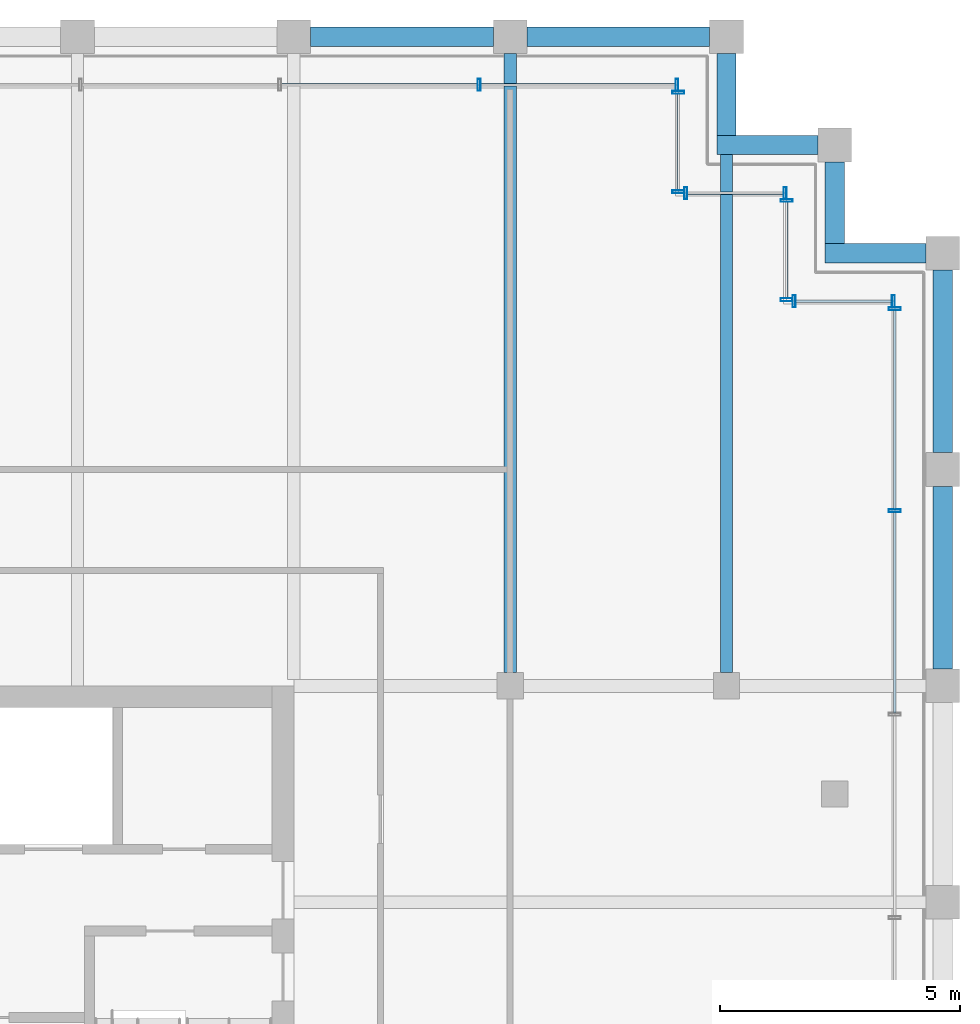
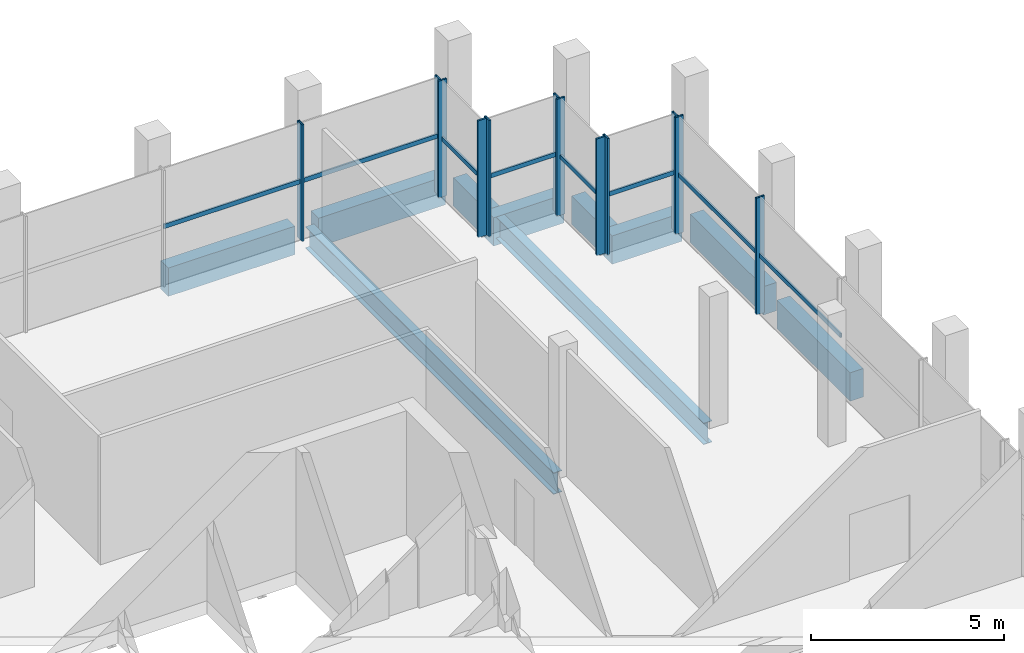
# One storey, part 12 of 17: 20 members, 10 beams, 6 elements without a shape of their own.
"""IFC4 building model written with IfcOpenShell, lengths in metres."""

from ifc_helpers import new_model, si_unit, direction, frame, origin, origin_2d, place, context, subcontext, project, spatial, rectangle, hollow_rectangle, i_section, extrude, material, material_profile, profile_set, type_object, element, aggregate, save


model = new_model("IFC4")

# Units and contexts
model_context = context("Model", 3, precision=1e-05, world=origin(), true_north=direction((0.0, 1.0)))
body_context = subcontext(model_context, "Body", "Model", "MODEL_VIEW")
ifc_project = project(units=[si_unit("LENGTHUNIT", "METRE"), si_unit("AREAUNIT", "SQUARE_METRE"), si_unit("VOLUMEUNIT", "CUBIC_METRE"), si_unit("PLANEANGLEUNIT", "RADIAN"), si_unit("MASSUNIT", "GRAM", prefix="KILO")], contexts=[model_context])

# Site, building, storey
site_placement = place(None, origin())
site = spatial("IfcSite", under=ifc_project, at=site_placement, CompositionType="ELEMENT")
building_placement = place(site_placement, origin())
building = spatial("IfcBuilding", under=site, at=building_placement, Name="Altepetl Exchange Towers", CompositionType="ELEMENT")
storey_placement = place(building_placement, frame((0.0, 0.0, 259.39990234375)))
storey = spatial("IfcBuildingStorey", under=building, at=storey_placement, Name="L66", CompositionType="ELEMENT", Elevation=259.39990234375)

# Beams
ifc_material_1 = material(Name="Steel S355", Category="steel")
ifc_material_profile_1 = material_profile(ifc_material_1, i_section(OverallWidth=0.25390625, OverallDepth=0.68408203125, WebThickness=0.012451171875, FlangeThickness=0.018798828125, at=origin_2d()), Name="W27X94")
ifc_profile_set_1 = profile_set([ifc_material_profile_1], Name="Steel S355")
beam_type_1 = type_object("IfcBeamType", Name="Floor beam W27X94", PredefinedType="BEAM", material=ifc_profile_set_1)
beam_1_placement = place(storey_placement, frame((63.0, 58.77490234375, -0.516845703125), z_axis=(0.0, 1.0, 0.0), x_axis=(-1.0, 0.0, 0.0)))
element("IfcBeam", 1, at=beam_1_placement, inside=storey, type_object=beam_type_1, Name="bm:A:L66:004", PredefinedType="BEAM", context=body_context, shape_type="SweptSolid", body=[
    extrude(i_section(OverallWidth=0.25390625, OverallDepth=0.68408203125, WebThickness=0.012451171875, FlangeThickness=0.018798828125, at=origin_2d()), origin(), (0.0, 0.0, 1.0), 12.875),
])
beam_2_placement = place(storey_placement, frame((67.5, 58.77490234375, -0.516845703125), z_axis=(0.0, 1.0, 0.0), x_axis=(-1.0, 0.0, 0.0)))
element("IfcBeam", 2, at=beam_2_placement, inside=storey, type_object=beam_type_1, Name="bm:A:L66:005", PredefinedType="BEAM", context=body_context, shape_type="SweptSolid", body=[
    extrude(i_section(OverallWidth=0.25390625, OverallDepth=0.68408203125, WebThickness=0.012451171875, FlangeThickness=0.018798828125, at=origin_2d()), origin(), (0.0, 0.0, 1.0), 10.775146484375),
])

# Curtain wall, members
ifc_material_2 = material(Name="Aluminium 6063-T6 glazing", Category="aluminium")
curtain_wall_type = type_object("IfcCurtainWallType", Name="Executive flush glazing system", PredefinedType="NOTDEFINED", material=ifc_material_2)
curtain_wall_1_placement = place(storey_placement, origin())
curtain_wall_1 = element("IfcCurtainWall", 3, at=curtain_wall_1_placement, inside=storey, type_object=curtain_wall_type, Name="CW4 run", PredefinedType="NOTDEFINED")
ifc_material_3 = material(Name="Aluminium 6063-T6", Category="aluminium")
ifc_material_profile_2 = material_profile(ifc_material_3, hollow_rectangle(XDim=0.06005859375, YDim=0.25, WallThickness=0.0029296875, at=origin_2d()), Name="Mullion 60x250 hollow aluminium")
ifc_profile_set_2 = profile_set([ifc_material_profile_2], Name="Aluminium 6063-T6")
member_type_1 = type_object("IfcMemberType", Name="Mullion 60x250 hollow aluminium", PredefinedType="MULLION", material=ifc_profile_set_2)
member_1_placement = place(storey_placement, frame((71.0, 62.140625, 0.0), z_axis=(0.0, 0.0, 1.0), x_axis=(0.0, 1.0, 0.0)))
member_1 = element("IfcMember", 4, at=member_1_placement, type_object=member_type_1, Name="MU3 mullion", PredefinedType="MULLION", context=body_context, shape_type="SweptSolid", body=[
    extrude(hollow_rectangle(XDim=0.06005859375, YDim=0.25, WallThickness=0.0029296875, at=origin_2d()), origin(), (0.0, 0.0, 1.0), 3.7001953125),
])
member_2_placement = place(storey_placement, frame((71.0, 66.344970703125, 0.0), z_axis=(0.0, 0.0, 1.0), x_axis=(0.0, 1.0, 0.0)))
member_2 = element("IfcMember", 5, at=member_2_placement, type_object=member_type_1, Name="MU3 mullion", PredefinedType="MULLION", context=body_context, shape_type="SweptSolid", body=[
    extrude(hollow_rectangle(XDim=0.06005859375, YDim=0.25, WallThickness=0.0029296875, at=origin_2d()), origin(), (0.0, 0.0, 1.0), 3.7001953125),
])

curtain_wall_2_placement = place(storey_placement, origin())
curtain_wall_2 = element("IfcCurtainWall", 6, at=curtain_wall_2_placement, inside=storey, type_object=curtain_wall_type, Name="CW4 run", PredefinedType="NOTDEFINED")
member_3_placement = place(storey_placement, frame((70.969970703125, 66.5, 0.0), z_axis=(0.0, 0.0, 1.0), x_axis=(-1.0, 0.0, 0.0)))
member_3 = element("IfcMember", 7, at=member_3_placement, type_object=member_type_1, Name="MU3 mullion", PredefinedType="MULLION", context=body_context, shape_type="SweptSolid", body=[
    extrude(hollow_rectangle(XDim=0.06005859375, YDim=0.25, WallThickness=0.0029296875, at=origin_2d()), origin(), (0.0, 0.0, 1.0), 3.7001953125),
])
member_4_placement = place(storey_placement, frame((68.905029296875, 66.5, 0.0), z_axis=(0.0, 0.0, 1.0), x_axis=(-1.0, 0.0, 0.0)))
member_4 = element("IfcMember", 8, at=member_4_placement, type_object=member_type_1, Name="MU3 mullion", PredefinedType="MULLION", context=body_context, shape_type="SweptSolid", body=[
    extrude(hollow_rectangle(XDim=0.06005859375, YDim=0.25, WallThickness=0.0029296875, at=origin_2d()), origin(), (0.0, 0.0, 1.0), 3.7001953125),
])

curtain_wall_3_placement = place(storey_placement, origin())
curtain_wall_3 = element("IfcCurtainWall", 9, at=curtain_wall_3_placement, inside=storey, type_object=curtain_wall_type, Name="CW4 run", PredefinedType="NOTDEFINED")
member_5_placement = place(storey_placement, frame((68.75, 66.530029296875, 0.0), z_axis=(0.0, 0.0, 1.0), x_axis=(0.0, 1.0, 0.0)))
member_5 = element("IfcMember", 10, at=member_5_placement, type_object=member_type_1, Name="MU3 mullion", PredefinedType="MULLION", context=body_context, shape_type="SweptSolid", body=[
    extrude(hollow_rectangle(XDim=0.06005859375, YDim=0.25, WallThickness=0.0029296875, at=origin_2d()), origin(), (0.0, 0.0, 1.0), 3.7001953125),
])
member_6_placement = place(storey_placement, frame((68.75, 68.594970703125, 0.0), z_axis=(0.0, 0.0, 1.0), x_axis=(0.0, 1.0, 0.0)))
member_6 = element("IfcMember", 11, at=member_6_placement, type_object=member_type_1, Name="MU3 mullion", PredefinedType="MULLION", context=body_context, shape_type="SweptSolid", body=[
    extrude(hollow_rectangle(XDim=0.06005859375, YDim=0.25, WallThickness=0.0029296875, at=origin_2d()), origin(), (0.0, 0.0, 1.0), 3.7001953125),
])

curtain_wall_4_placement = place(storey_placement, origin())
curtain_wall_4 = element("IfcCurtainWall", 12, at=curtain_wall_4_placement, inside=storey, type_object=curtain_wall_type, Name="CW4 run", PredefinedType="NOTDEFINED")
member_7_placement = place(storey_placement, frame((68.719970703125, 68.75, 0.0), z_axis=(0.0, 0.0, 1.0), x_axis=(-1.0, 0.0, 0.0)))
member_7 = element("IfcMember", 13, at=member_7_placement, type_object=member_type_1, Name="MU3 mullion", PredefinedType="MULLION", context=body_context, shape_type="SweptSolid", body=[
    extrude(hollow_rectangle(XDim=0.06005859375, YDim=0.25, WallThickness=0.0029296875, at=origin_2d()), origin(), (0.0, 0.0, 1.0), 3.7001953125),
])
member_8_placement = place(storey_placement, frame((66.655029296875, 68.75, 0.0), z_axis=(0.0, 0.0, 1.0), x_axis=(-1.0, 0.0, 0.0)))
member_8 = element("IfcMember", 14, at=member_8_placement, type_object=member_type_1, Name="MU3 mullion", PredefinedType="MULLION", context=body_context, shape_type="SweptSolid", body=[
    extrude(hollow_rectangle(XDim=0.06005859375, YDim=0.25, WallThickness=0.0029296875, at=origin_2d()), origin(), (0.0, 0.0, 1.0), 3.7001953125),
])

curtain_wall_5_placement = place(storey_placement, origin())
curtain_wall_5 = element("IfcCurtainWall", 15, at=curtain_wall_5_placement, inside=storey, type_object=curtain_wall_type, Name="CW4 run", PredefinedType="NOTDEFINED")
member_9_placement = place(storey_placement, frame((66.5, 68.780029296875, 0.0), z_axis=(0.0, 0.0, 1.0), x_axis=(0.0, 1.0, 0.0)))
member_9 = element("IfcMember", 16, at=member_9_placement, type_object=member_type_1, Name="MU3 mullion", PredefinedType="MULLION", context=body_context, shape_type="SweptSolid", body=[
    extrude(hollow_rectangle(XDim=0.06005859375, YDim=0.25, WallThickness=0.0029296875, at=origin_2d()), origin(), (0.0, 0.0, 1.0), 3.7001953125),
])
member_10_placement = place(storey_placement, frame((66.5, 70.844970703125, 0.0), z_axis=(0.0, 0.0, 1.0), x_axis=(0.0, 1.0, 0.0)))
member_10 = element("IfcMember", 17, at=member_10_placement, type_object=member_type_1, Name="MU3 mullion", PredefinedType="MULLION", context=body_context, shape_type="SweptSolid", body=[
    extrude(hollow_rectangle(XDim=0.06005859375, YDim=0.25, WallThickness=0.0029296875, at=origin_2d()), origin(), (0.0, 0.0, 1.0), 3.7001953125),
])

curtain_wall_6_placement = place(storey_placement, origin())
curtain_wall_6 = element("IfcCurtainWall", 18, at=curtain_wall_6_placement, inside=storey, type_object=curtain_wall_type, Name="CW4 run", PredefinedType="NOTDEFINED")
member_11_placement = place(storey_placement, frame((66.469970703125, 71.0, 0.0), z_axis=(0.0, 0.0, 1.0), x_axis=(-1.0, 0.0, 0.0)))
member_11 = element("IfcMember", 19, at=member_11_placement, type_object=member_type_1, Name="MU3 mullion", PredefinedType="MULLION", context=body_context, shape_type="SweptSolid", body=[
    extrude(hollow_rectangle(XDim=0.06005859375, YDim=0.25, WallThickness=0.0029296875, at=origin_2d()), origin(), (0.0, 0.0, 1.0), 3.7001953125),
])
member_12_placement = place(storey_placement, frame((62.354248046875, 71.0, 0.0), z_axis=(0.0, 0.0, 1.0), x_axis=(-1.0, 0.0, 0.0)))
member_12 = element("IfcMember", 20, at=member_12_placement, type_object=member_type_1, Name="MU3 mullion", PredefinedType="MULLION", context=body_context, shape_type="SweptSolid", body=[
    extrude(hollow_rectangle(XDim=0.06005859375, YDim=0.25, WallThickness=0.0029296875, at=origin_2d()), origin(), (0.0, 0.0, 1.0), 3.7001953125),
])

# Beams
ifc_material_4 = material(Name="Concrete C50/60 precast with cantera rosa facing", Category="concrete")
ifc_material_profile_3 = material_profile(ifc_material_4, rectangle(XDim=0.39990234375, YDim=0.89990234375, at=origin_2d()), Name="400 x 900")
ifc_profile_set_3 = profile_set([ifc_material_profile_3], Name="Concrete C50/60 precast with cantera rosa facing")
beam_type_2 = type_object("IfcBeamType", Name="Spandrel beam 400x900 cantera rosa", PredefinedType="SPANDREL", material=ifc_profile_set_3)
for number, where, z_axis, x_axis, name in (
    (21, (72.0, 58.85009765625, -0.625), (0.0, 1.0, 0.0), (-1.0, 0.0, 0.0), "sp:A:L66:018"),
    (22, (72.0, 63.35009765625, -0.625), (0.0, 1.0, 0.0), (-1.0, 0.0, 0.0), "sp:A:L66:019"),
):
    element("IfcBeam", number, at=place(storey_placement, frame(where, z_axis=z_axis, x_axis=x_axis)), inside=storey, type_object=beam_type_2, Name=name, PredefinedType="SPANDREL", context=body_context, shape_type="SweptSolid", body=[
        extrude(rectangle(XDim=0.39990234375, YDim=0.89990234375, at=origin_2d()), origin(), (0.0, 0.0, 1.0), 3.7998046875),
    ])
beam_3_placement = place(storey_placement, frame((71.64990234375, 67.5, -0.625), z_axis=(-1.0, 0.0, 0.0), x_axis=(0.0, -1.0, 0.0)))
element("IfcBeam", 23, at=beam_3_placement, inside=storey, type_object=beam_type_2, Name="sp:A:L66:020", PredefinedType="SPANDREL", context=body_context, shape_type="SweptSolid", body=[
    extrude(rectangle(XDim=0.39990234375, YDim=0.89990234375, at=origin_2d()), origin(), (0.0, 0.0, 1.0), 2.099853515625),
])
beam_4_placement = place(storey_placement, frame((69.75, 67.699951171875, -0.625), z_axis=(0.0, 1.0, 0.0), x_axis=(-1.0, 0.0, 0.0)))
element("IfcBeam", 24, at=beam_4_placement, inside=storey, type_object=beam_type_2, Name="sp:A:L66:021", PredefinedType="SPANDREL", context=body_context, shape_type="SweptSolid", body=[
    extrude(rectangle(XDim=0.39990234375, YDim=0.89990234375, at=origin_2d()), origin(), (0.0, 0.0, 1.0), 1.699951171875),
])
beam_5_placement = place(storey_placement, frame((69.39990234375, 69.75, -0.625), z_axis=(-1.0, 0.0, 0.0), x_axis=(0.0, -1.0, 0.0)))
element("IfcBeam", 25, at=beam_5_placement, inside=storey, type_object=beam_type_2, Name="sp:A:L66:022", PredefinedType="SPANDREL", context=body_context, shape_type="SweptSolid", body=[
    extrude(rectangle(XDim=0.39990234375, YDim=0.89990234375, at=origin_2d()), origin(), (0.0, 0.0, 1.0), 2.099853515625),
])
beam_6_placement = place(storey_placement, frame((67.5, 69.949951171875, -0.625), z_axis=(0.0, 1.0, 0.0), x_axis=(-1.0, 0.0, 0.0)))
element("IfcBeam", 26, at=beam_6_placement, inside=storey, type_object=beam_type_2, Name="sp:A:L66:023", PredefinedType="SPANDREL", context=body_context, shape_type="SweptSolid", body=[
    extrude(rectangle(XDim=0.39990234375, YDim=0.89990234375, at=origin_2d()), origin(), (0.0, 0.0, 1.0), 1.699951171875),
])
for number, where, z_axis, x_axis, name in (
    (27, (67.14990234375, 72.0, -0.625), (-1.0, 0.0, 0.0), (0.0, -1.0, 0.0), "sp:A:L66:024"),
    (28, (62.64990234375, 72.0, -0.625), (-1.0, 0.0, 0.0), (0.0, -1.0, 0.0), "sp:A:L66:025"),
):
    element("IfcBeam", number, at=place(storey_placement, frame(where, z_axis=z_axis, x_axis=x_axis)), inside=storey, type_object=beam_type_2, Name=name, PredefinedType="SPANDREL", context=body_context, shape_type="SweptSolid", body=[
        extrude(rectangle(XDim=0.39990234375, YDim=0.89990234375, at=origin_2d()), origin(), (0.0, 0.0, 1.0), 3.7998046875),
    ])

# Member
ifc_material_profile_4 = material_profile(ifc_material_3, hollow_rectangle(XDim=0.050048828125, YDim=0.139892578125, WallThickness=0.0029296875, at=origin_2d()), Name="Transom 50x140 hollow aluminium")
ifc_profile_set_4 = profile_set([ifc_material_profile_4], Name="Aluminium 6063-T6")
member_type_2 = type_object("IfcMemberType", Name="Transom 50x140 hollow aluminium", PredefinedType="USERDEFINED", material=ifc_profile_set_4)
member_13_placement = place(storey_placement, frame((71.0, 57.936279296875, 1.85009765625), z_axis=(0.0, 1.0, 0.0), x_axis=(-1.0, 0.0, 0.0)))
member_13 = element("IfcMember", 29, at=member_13_placement, type_object=member_type_2, Name="TR2 transom", ObjectType="TRANSOM", PredefinedType="USERDEFINED", context=body_context, shape_type="SweptSolid", body=[
    extrude(hollow_rectangle(XDim=0.050048828125, YDim=0.139892578125, WallThickness=0.0029296875, at=origin_2d()), origin(), (0.0, 0.0, 1.0), 4.17431640625),
])

member_14_placement = place(storey_placement, frame((71.0, 62.170654296875, 1.85009765625), z_axis=(0.0, 1.0, 0.0), x_axis=(-1.0, 0.0, 0.0)))
member_14 = element("IfcMember", 30, at=member_14_placement, type_object=member_type_2, Name="TR2 transom", ObjectType="TRANSOM", PredefinedType="USERDEFINED", context=body_context, shape_type="SweptSolid", body=[
    extrude(hollow_rectangle(XDim=0.050048828125, YDim=0.139892578125, WallThickness=0.0029296875, at=origin_2d()), origin(), (0.0, 0.0, 1.0), 4.144287109375),
])

aggregate(curtain_wall_1, [member_1, member_2, member_13, member_14])

member_15_placement = place(storey_placement, frame((70.93994140625, 66.5, 1.85009765625), z_axis=(-1.0, 0.0, 0.0), x_axis=(0.0, -1.0, 0.0)))
member_15 = element("IfcMember", 31, at=member_15_placement, type_object=member_type_2, Name="TR2 transom", ObjectType="TRANSOM", PredefinedType="USERDEFINED", context=body_context, shape_type="SweptSolid", body=[
    extrude(hollow_rectangle(XDim=0.050048828125, YDim=0.139892578125, WallThickness=0.0029296875, at=origin_2d()), origin(), (0.0, 0.0, 1.0), 2.0048828125),
])

aggregate(curtain_wall_2, [member_3, member_4, member_15])

member_16_placement = place(storey_placement, frame((68.75, 66.56005859375, 1.85009765625), z_axis=(0.0, 1.0, 0.0), x_axis=(-1.0, 0.0, 0.0)))
member_16 = element("IfcMember", 32, at=member_16_placement, type_object=member_type_2, Name="TR2 transom", ObjectType="TRANSOM", PredefinedType="USERDEFINED", context=body_context, shape_type="SweptSolid", body=[
    extrude(hollow_rectangle(XDim=0.050048828125, YDim=0.139892578125, WallThickness=0.0029296875, at=origin_2d()), origin(), (0.0, 0.0, 1.0), 2.0048828125),
])

aggregate(curtain_wall_3, [member_5, member_6, member_16])

member_17_placement = place(storey_placement, frame((68.68994140625, 68.75, 1.85009765625), z_axis=(-1.0, 0.0, 0.0), x_axis=(0.0, -1.0, 0.0)))
member_17 = element("IfcMember", 33, at=member_17_placement, type_object=member_type_2, Name="TR2 transom", ObjectType="TRANSOM", PredefinedType="USERDEFINED", context=body_context, shape_type="SweptSolid", body=[
    extrude(hollow_rectangle(XDim=0.050048828125, YDim=0.139892578125, WallThickness=0.0029296875, at=origin_2d()), origin(), (0.0, 0.0, 1.0), 2.0048828125),
])

aggregate(curtain_wall_4, [member_7, member_8, member_17])

member_18_placement = place(storey_placement, frame((66.5, 68.81005859375, 1.85009765625), z_axis=(0.0, 1.0, 0.0), x_axis=(-1.0, 0.0, 0.0)))
member_18 = element("IfcMember", 34, at=member_18_placement, type_object=member_type_2, Name="TR2 transom", ObjectType="TRANSOM", PredefinedType="USERDEFINED", context=body_context, shape_type="SweptSolid", body=[
    extrude(hollow_rectangle(XDim=0.050048828125, YDim=0.139892578125, WallThickness=0.0029296875, at=origin_2d()), origin(), (0.0, 0.0, 1.0), 2.0048828125),
])

aggregate(curtain_wall_5, [member_9, member_10, member_18])

member_19_placement = place(storey_placement, frame((66.43994140625, 71.0, 1.85009765625), z_axis=(-1.0, 0.0, 0.0), x_axis=(0.0, -1.0, 0.0)))
member_19 = element("IfcMember", 35, at=member_19_placement, type_object=member_type_2, Name="TR2 transom", ObjectType="TRANSOM", PredefinedType="USERDEFINED", context=body_context, shape_type="SweptSolid", body=[
    extrude(hollow_rectangle(XDim=0.050048828125, YDim=0.139892578125, WallThickness=0.0029296875, at=origin_2d()), origin(), (0.0, 0.0, 1.0), 4.0556640625),
])

member_20_placement = place(storey_placement, frame((62.32421875, 71.0, 1.85009765625), z_axis=(-1.0, 0.0, 0.0), x_axis=(0.0, -1.0, 0.0)))
member_20 = element("IfcMember", 36, at=member_20_placement, type_object=member_type_2, Name="TR2 transom", ObjectType="TRANSOM", PredefinedType="USERDEFINED", context=body_context, shape_type="SweptSolid", body=[
    extrude(hollow_rectangle(XDim=0.050048828125, YDim=0.139892578125, WallThickness=0.0029296875, at=origin_2d()), origin(), (0.0, 0.0, 1.0), 4.0859375),
])

aggregate(curtain_wall_6, [member_11, member_12, member_19, member_20])

save(model, "model.ifc")
